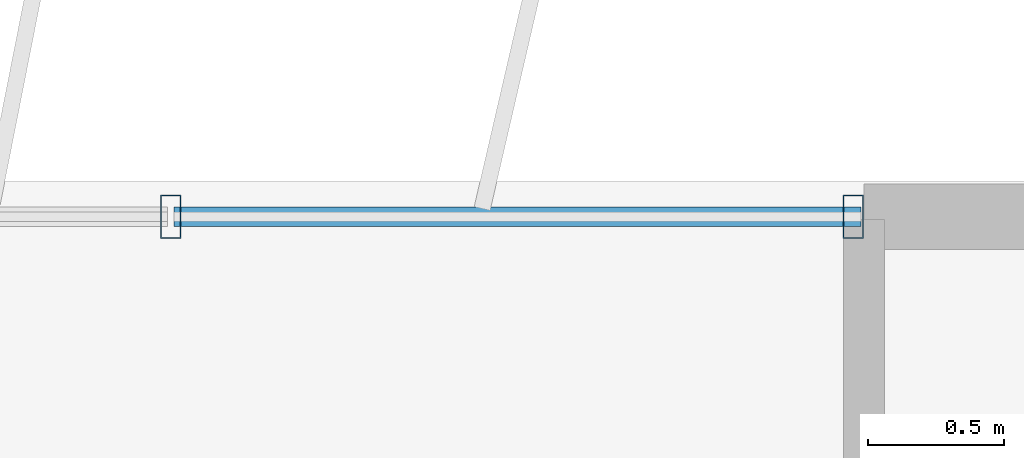
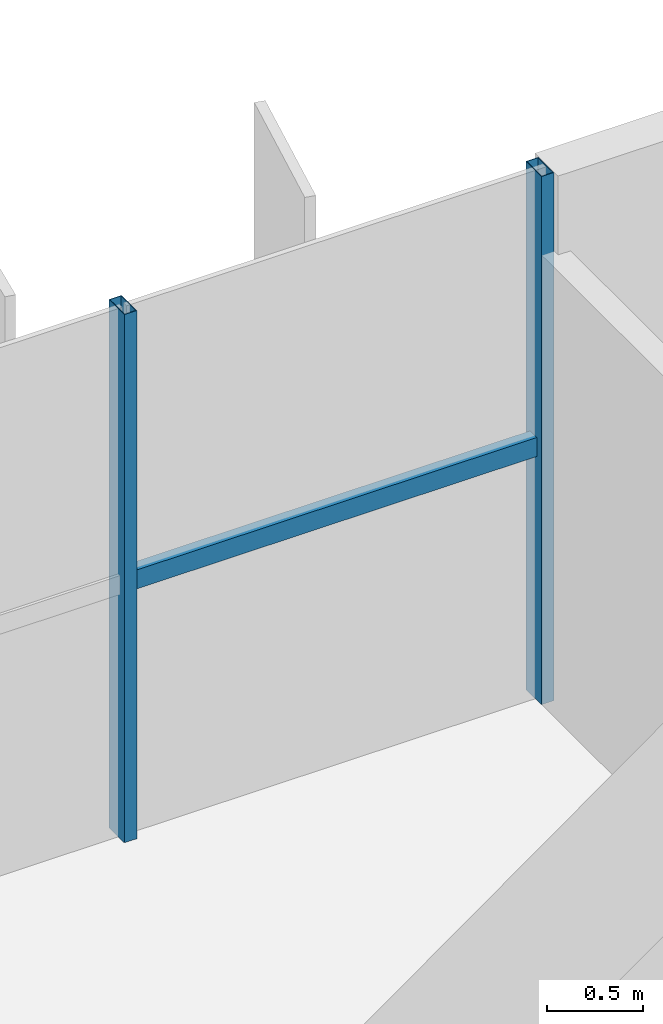
# One storey, part 12 of 20: 3 members, 1 element without a shape of its own.
"""IFC4 building model written with IfcOpenShell, lengths in metres."""

from ifc_helpers import new_model, si_unit, direction, frame, origin, origin_2d, place, context, subcontext, project, spatial, hollow_rectangle, extrude, source, transform, mapped, material, material_profile, profile_set, type_object, element, aggregate, save


model = new_model("IFC4")

# Units and contexts
model_context = context("Model", 3, precision=1e-05, world=origin(), true_north=direction((0.0, 1.0)))
body_context = subcontext(model_context, "Body", "Model", "MODEL_VIEW")
ifc_project = project(units=[si_unit("LENGTHUNIT", "METRE"), si_unit("AREAUNIT", "SQUARE_METRE"), si_unit("VOLUMEUNIT", "CUBIC_METRE"), si_unit("PLANEANGLEUNIT", "RADIAN"), si_unit("MASSUNIT", "GRAM", prefix="KILO")], contexts=[model_context])

# Site, building, storey
site_placement = place(None, origin())
site = spatial("IfcSite", under=ifc_project, at=site_placement, CompositionType="ELEMENT")
building_placement = place(site_placement, origin())
building = spatial("IfcBuilding", under=site, at=building_placement, Name="Trelvane Seafront Commons", CompositionType="ELEMENT")
storey_placement = place(building_placement, frame((0.0, 0.0, 150.10009765625)))
storey = spatial("IfcBuildingStorey", under=building, at=storey_placement, Name="L39", CompositionType="ELEMENT", Elevation=150.10009765625)

# Curtain wall, members
ifc_material = material(Name="Anodised pale-silver aluminium", Category="aluminium")
curtain_wall_type = type_object("IfcCurtainWallType", Name="ARCH-CW5-UPTOWER", PredefinedType="NOTDEFINED", material=ifc_material)
curtain_wall_placement = place(storey_placement, origin())
curtain_wall = element("IfcCurtainWall", 1, at=curtain_wall_placement, inside=storey, type_object=curtain_wall_type, Name="CW-L39-0066", PredefinedType="NOTDEFINED")
ifc_material_profile_1 = material_profile(ifc_material, hollow_rectangle(XDim=0.070068359375, YDim=0.1201171875, WallThickness=0.00390625, at=origin_2d()), Name="TRAN-70x120x4")
ifc_profile_set_1 = profile_set([ifc_material_profile_1], Name="Anodised pale-silver aluminium")
member_type_1 = type_object("IfcMemberType", Name="ARCH-CW-TRAN-120", PredefinedType="USERDEFINED", material=ifc_profile_set_1)
shared_shape_1 = source(origin(), body_context, "Body", "SweptSolid", [
    extrude(hollow_rectangle(XDim=0.070068359375, YDim=0.1201171875, WallThickness=0.00390625, at=origin_2d()), origin(), (0.0, 0.0, 1.0), 2.517333984375),
])
member_1_placement = place(storey_placement, frame((56.270751953125, 48.3701171875, 1.60791015625), z_axis=(1.0, 0.0, 0.0), x_axis=(0.0, 1.0, 0.0)))
member_1 = element("IfcMember", 2, at=member_1_placement, type_object=member_type_1, Name="CW-L39-0066-T16", ObjectType="TRANSOM", PredefinedType="USERDEFINED", context=body_context, shape_type="MappedRepresentation", body=[
    mapped(shared_shape_1, transform((0.0, 0.0, 0.0), x_axis=(1.0, 0.0, 0.0), y_axis=(0.0, 1.0, 0.0), z_axis=(0.0, 0.0, 1.0), scale=1.0)),
])
ifc_material_profile_2 = material_profile(ifc_material, hollow_rectangle(XDim=0.074951171875, YDim=0.159912109375, WallThickness=0.00390625, at=origin_2d()), Name="MULL-75x160x4")
ifc_profile_set_2 = profile_set([ifc_material_profile_2], Name="Anodised pale-silver aluminium")
member_type_2 = type_object("IfcMemberType", Name="ARCH-CW-MULL-160", PredefinedType="MULLION", material=ifc_profile_set_2)
shared_shape_2 = source(origin(), body_context, "Body", "SweptSolid", [
    extrude(hollow_rectangle(XDim=0.074951171875, YDim=0.159912109375, WallThickness=0.00390625, at=origin_2d()), origin(), (0.0, 0.0, 1.0), 3.349853515625),
])
member_2_placement = place(storey_placement, frame((56.2587890625, 48.3701171875, 0.0), z_axis=(0.0, 0.0, 1.0), x_axis=(1.0, 0.0, 0.0)))
member_2 = element("IfcMember", 3, at=member_2_placement, type_object=member_type_2, Name="CW-L39-0066-M16", PredefinedType="MULLION", context=body_context, shape_type="MappedRepresentation", body=[
    mapped(shared_shape_2, transform((0.0, 0.0, 0.0), x_axis=(1.0, 0.0, 0.0), y_axis=(0.0, 1.0, 0.0), z_axis=(0.0, 0.0, 1.0), scale=1.0)),
])
member_3_placement = place(storey_placement, frame((58.760009765625, 48.3701171875, 0.0), z_axis=(0.0, 0.0, 1.0), x_axis=(1.0, 0.0, 0.0)))
member_3 = element("IfcMember", 4, at=member_3_placement, type_object=member_type_2, Name="CW-L39-0066-M17", PredefinedType="MULLION", context=body_context, shape_type="MappedRepresentation", body=[
    mapped(shared_shape_2, transform((0.0, 0.0, 0.0), x_axis=(1.0, 0.0, 0.0), y_axis=(0.0, 1.0, 0.0), z_axis=(0.0, 0.0, 1.0), scale=1.0)),
])
aggregate(curtain_wall, [member_2, member_3, member_1])

save(model, "model.ifc")
